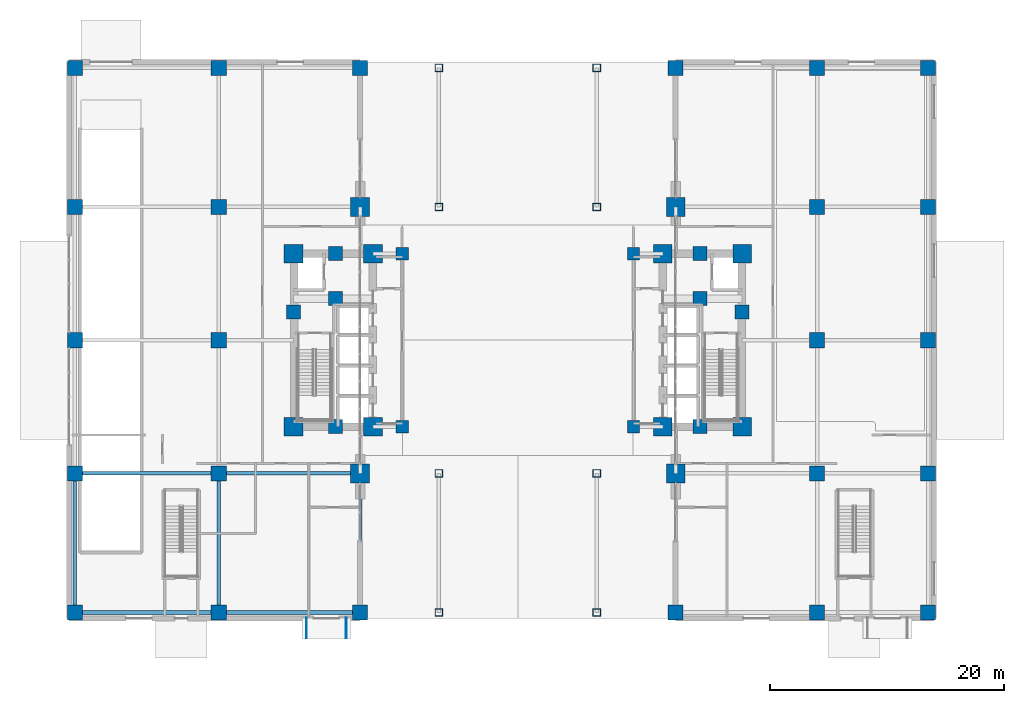
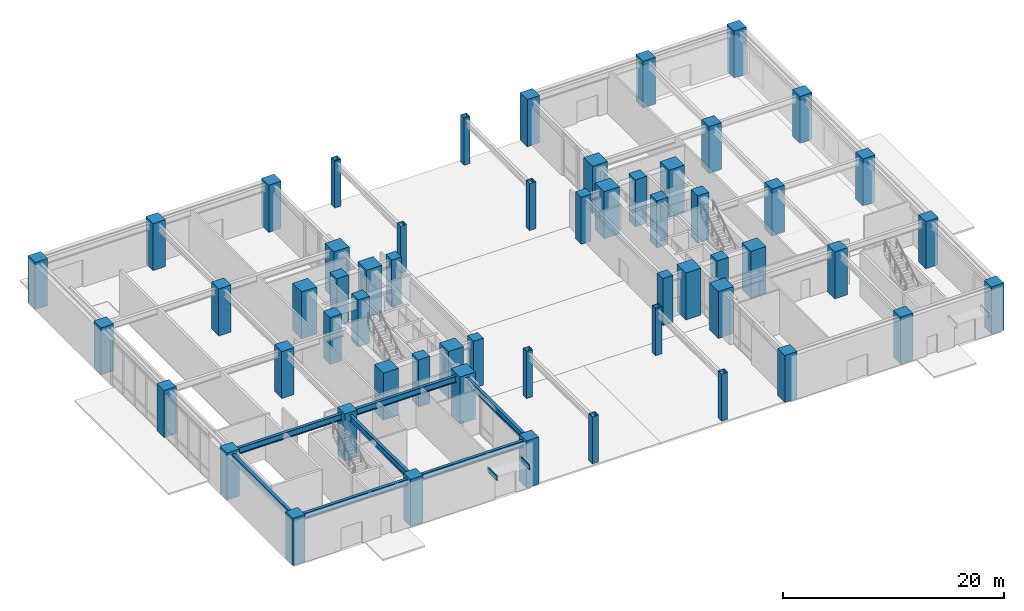
# One storey, part 1 of 23: 56 columns, 7 beams, 2 members, 1 element without a shape of its own.
"""IFC4 building model written with IfcOpenShell, lengths in metres."""

from ifc_helpers import new_model, si_unit, direction, frame, origin, origin_2d, place, context, subcontext, project, spatial, rectangle, hollow_rectangle, i_section, extrude, material, layer, layer_set, material_profile, profile_set, type_object, element, aggregate, save


model = new_model("IFC4")

# Units and contexts
model_context = context("Model", 3, precision=1e-05, world=origin(), true_north=direction((0.0, 1.0)))
body_context = subcontext(model_context, "Body", "Model", "MODEL_VIEW")
ifc_project = project(units=[si_unit("LENGTHUNIT", "METRE"), si_unit("AREAUNIT", "SQUARE_METRE"), si_unit("VOLUMEUNIT", "CUBIC_METRE"), si_unit("PLANEANGLEUNIT", "RADIAN"), si_unit("MASSUNIT", "GRAM", prefix="KILO")], contexts=[model_context])

# Site, building, storey
site_placement = place(None, origin())
site = spatial("IfcSite", under=ifc_project, at=site_placement, CompositionType="ELEMENT")
building_placement = place(site_placement, origin())
building = spatial("IfcBuilding", under=site, at=building_placement, Name="Voryun Gate Residences", CompositionType="ELEMENT")
storey_placement = place(building_placement, origin())
storey = spatial("IfcBuildingStorey", under=building, at=storey_placement, Name="L00", CompositionType="ELEMENT", Elevation=0.0)

# Columns
ifc_material_1 = material(Name="Steel SM420", Category="steel")
ifc_material_profile_1 = material_profile(ifc_material_1, hollow_rectangle(XDim=0.64990234375, YDim=0.64990234375, WallThickness=0.028076171875, at=origin_2d()), Name="BOX-650x650x28")
ifc_profile_set_1 = profile_set([ifc_material_profile_1], Name="Steel SM420")
column_type_1 = type_object("IfcColumnType", Name="COL_ARCH_SPANDREL", PredefinedType="COLUMN", material=ifc_profile_set_1)
for number, where, z_axis, x_axis, name in (
    (1, (-6.75, -23.300048828125, 0.0), (0.0, 0.0, 1.0), (1.0, 0.0, 0.0), "L00 Gate Portal Column (-6.75,-23.3)"),
    (2, (-6.75, -11.39990234375, 0.0), (0.0, 0.0, 1.0), (1.0, 0.0, 0.0), "L00 Gate Portal Column (-6.75,-11.4)"),
    (3, (-6.75, 11.39990234375, 0.0), (0.0, 0.0, 1.0), (1.0, 0.0, 0.0), "L00 Gate Portal Column (-6.75,+11.4)"),
    (4, (-6.75, 23.300048828125, 0.0), (0.0, 0.0, 1.0), (1.0, 0.0, 0.0), "L00 Gate Portal Column (-6.75,+23.3)"),
    (5, (6.75, -23.300048828125, 0.0), (0.0, 0.0, 1.0), (1.0, 0.0, 0.0), "L00 Gate Portal Column (+6.75,-23.3)"),
    (6, (6.75, -11.39990234375, 0.0), (0.0, 0.0, 1.0), (1.0, 0.0, 0.0), "L00 Gate Portal Column (+6.75,-11.4)"),
    (7, (6.75, 11.39990234375, 0.0), (0.0, 0.0, 1.0), (1.0, 0.0, 0.0), "L00 Gate Portal Column (+6.75,+11.4)"),
    (8, (6.75, 23.300048828125, 0.0), (0.0, 0.0, 1.0), (1.0, 0.0, 0.0), "L00 Gate Portal Column (+6.75,+23.3)"),
):
    element("IfcColumn", number, at=place(storey_placement, frame(where, z_axis=z_axis, x_axis=x_axis)), inside=storey, type_object=column_type_1, Name=name, PredefinedType="COLUMN", context=body_context, shape_type="SweptSolid", body=[
        extrude(hollow_rectangle(XDim=0.64990234375, YDim=0.64990234375, WallThickness=0.028076171875, at=origin_2d()), origin(), (0.0, 0.0, 1.0), 5.199951171875),
    ])
ifc_material_2 = material(Name="Concrete C50/60", Category="concrete")
ifc_material_profile_2 = material_profile(ifc_material_2, rectangle(XDim=1.050048828125, YDim=1.050048828125, at=origin_2d()), Name="RC-1050x1050")
ifc_profile_set_2 = profile_set([ifc_material_profile_2], Name="Concrete C50/60")
column_type_2 = type_object("IfcColumnType", Name="COL_CORE_1050", PredefinedType="COLUMN", material=ifc_profile_set_2)
for number, where, z_axis, x_axis, name in (
    (9, (-9.89990234375, -7.39990234375, 0.0), (0.0, 0.0, 1.0), (1.0, 0.0, 0.0), "L00 Core collar column CLR-WS"),
    (10, (-9.89990234375, 7.39990234375, 0.0), (0.0, 0.0, 1.0), (1.0, 0.0, 0.0), "L00 Core collar column CLR-WN"),
    (11, (9.89990234375, -7.39990234375, 0.0), (0.0, 0.0, 1.0), (1.0, 0.0, 0.0), "L00 Core collar column CLR-ES"),
    (12, (9.89990234375, 7.39990234375, 0.0), (0.0, 0.0, 1.0), (1.0, 0.0, 0.0), "L00 Core collar column CLR-EN"),
):
    element("IfcColumn", number, at=place(storey_placement, frame(where, z_axis=z_axis, x_axis=x_axis)), inside=storey, type_object=column_type_2, Name=name, PredefinedType="COLUMN", context=body_context, shape_type="SweptSolid", body=[
        extrude(rectangle(XDim=1.050048828125, YDim=1.050048828125, at=origin_2d()), origin(), (0.0, 0.0, 1.0), 5.199951171875),
    ])
ifc_material_3 = material(Name="Concrete C60/75", Category="concrete")
ifc_material_profile_3 = material_profile(ifc_material_3, rectangle(XDim=1.199951171875, YDim=1.199951171875, at=origin_2d()), Name="RC-1200x1200")
ifc_profile_set_3 = profile_set([ifc_material_profile_3], Name="Concrete C60/75")
column_type_3 = type_object("IfcColumnType", Name="COL_CORE_1200", PredefinedType="COLUMN", material=ifc_profile_set_3)
for number, where, z_axis, x_axis, name in (
    (13, (-19.199951171875, 2.39990234375, 0.0), (0.0, 0.0, 1.0), (1.0, 0.0, 0.0), "L00 Core boundary column WC-MW"),
    (14, (-15.60009765625, -7.39990234375, 0.0), (0.0, 0.0, 1.0), (1.0, 0.0, 0.0), "L00 Core boundary column WC-SM"),
    (15, (-15.60009765625, 7.39990234375, 0.0), (0.0, 0.0, 1.0), (1.0, 0.0, 0.0), "L00 Core boundary column WC-NM"),
    (16, (-15.60009765625, 3.550048828125, 0.0), (0.0, 0.0, 1.0), (1.0, 0.0, 0.0), "L00 Core boundary column WC-MM"),
    (17, (15.60009765625, 3.550048828125, 0.0), (0.0, 0.0, 1.0), (1.0, 0.0, 0.0), "L00 Core boundary column EC-MM"),
    (18, (15.60009765625, -7.39990234375, 0.0), (0.0, 0.0, 1.0), (1.0, 0.0, 0.0), "L00 Core boundary column EC-SM"),
    (19, (15.60009765625, 7.39990234375, 0.0), (0.0, 0.0, 1.0), (1.0, 0.0, 0.0), "L00 Core boundary column EC-NM"),
    (20, (19.199951171875, 2.39990234375, 0.0), (0.0, 0.0, 1.0), (1.0, 0.0, 0.0), "L00 Core boundary column EC-ME"),
):
    element("IfcColumn", number, at=place(storey_placement, frame(where, z_axis=z_axis, x_axis=x_axis)), inside=storey, type_object=column_type_3, Name=name, PredefinedType="COLUMN", context=body_context, shape_type="SweptSolid", body=[
        extrude(rectangle(XDim=1.199951171875, YDim=1.199951171875, at=origin_2d()), origin(), (0.0, 0.0, 1.0), 5.199951171875),
    ])
ifc_material_4 = material(Name="Concrete C60/75", Category="concrete")
ifc_material_profile_4 = material_profile(ifc_material_4, rectangle(XDim=1.300048828125, YDim=1.300048828125, at=origin_2d()), Name="RC-1300x1300")
ifc_profile_set_4 = profile_set([ifc_material_profile_4], Name="Concrete C60/75")
column_type_4 = type_object("IfcColumnType", Name="COL_MEGA_1300", PredefinedType="COLUMN", material=ifc_profile_set_4)
for number, where, z_axis, x_axis, name in (
    (21, (-37.89990234375, -23.300048828125, 0.0), (0.0, 0.0, 1.0), (1.0, 0.0, 0.0), "L00 Podium pier column W11"),
    (22, (-37.89990234375, -11.39990234375, 0.0), (0.0, 0.0, 1.0), (1.0, 0.0, 0.0), "L00 Podium pier column W12"),
    (23, (-37.89990234375, 0.0, 0.0), (0.0, 0.0, 1.0), (1.0, 0.0, 0.0), "L00 Podium pier column W13"),
    (24, (-37.89990234375, 11.39990234375, 0.0), (0.0, 0.0, 1.0), (1.0, 0.0, 0.0), "L00 Podium pier column W14"),
    (25, (-37.89990234375, 23.300048828125, 0.0), (0.0, 0.0, 1.0), (1.0, 0.0, 0.0), "L00 Podium pier column W15"),
    (26, (-25.60009765625, -23.300048828125, 0.0), (0.0, 0.0, 1.0), (1.0, 0.0, 0.0), "L00 Podium pier column W21"),
    (27, (-25.60009765625, -11.39990234375, 0.0), (0.0, 0.0, 1.0), (1.0, 0.0, 0.0), "L00 Podium pier column W22"),
    (28, (-25.60009765625, 0.0, 0.0), (0.0, 0.0, 1.0), (1.0, 0.0, 0.0), "L00 Podium pier column W23"),
    (29, (-25.60009765625, 11.39990234375, 0.0), (0.0, 0.0, 1.0), (1.0, 0.0, 0.0), "L00 Podium pier column W24"),
    (30, (-25.60009765625, 23.300048828125, 0.0), (0.0, 0.0, 1.0), (1.0, 0.0, 0.0), "L00 Podium pier column W25"),
    (31, (-13.5, -23.300048828125, 0.0), (0.0, 0.0, 1.0), (1.0, 0.0, 0.0), "L00 Podium pier column W31"),
    (32, (-13.5, 23.300048828125, 0.0), (0.0, 0.0, 1.0), (1.0, 0.0, 0.0), "L00 Podium pier column W35"),
    (33, (13.5, -23.300048828125, 0.0), (0.0, 0.0, 1.0), (1.0, 0.0, 0.0), "L00 Podium pier column E11"),
    (34, (13.5, 23.300048828125, 0.0), (0.0, 0.0, 1.0), (1.0, 0.0, 0.0), "L00 Podium pier column E15"),
    (35, (25.60009765625, -23.300048828125, 0.0), (0.0, 0.0, 1.0), (1.0, 0.0, 0.0), "L00 Podium pier column E21"),
    (36, (25.60009765625, -11.39990234375, 0.0), (0.0, 0.0, 1.0), (1.0, 0.0, 0.0), "L00 Podium pier column E22"),
    (37, (25.60009765625, 0.0, 0.0), (0.0, 0.0, 1.0), (1.0, 0.0, 0.0), "L00 Podium pier column E23"),
    (38, (25.60009765625, 11.39990234375, 0.0), (0.0, 0.0, 1.0), (1.0, 0.0, 0.0), "L00 Podium pier column E24"),
    (39, (25.60009765625, 23.300048828125, 0.0), (0.0, 0.0, 1.0), (1.0, 0.0, 0.0), "L00 Podium pier column E25"),
    (40, (35.10009765625, -23.300048828125, 0.0), (0.0, 0.0, 1.0), (1.0, 0.0, 0.0), "L00 Podium pier column E31"),
    (41, (35.10009765625, -11.39990234375, 0.0), (0.0, 0.0, 1.0), (1.0, 0.0, 0.0), "L00 Podium pier column E32"),
    (42, (35.10009765625, 0.0, 0.0), (0.0, 0.0, 1.0), (1.0, 0.0, 0.0), "L00 Podium pier column E33"),
    (43, (35.10009765625, 11.39990234375, 0.0), (0.0, 0.0, 1.0), (1.0, 0.0, 0.0), "L00 Podium pier column E34"),
    (44, (35.10009765625, 23.300048828125, 0.0), (0.0, 0.0, 1.0), (1.0, 0.0, 0.0), "L00 Podium pier column E35"),
):
    element("IfcColumn", number, at=place(storey_placement, frame(where, z_axis=z_axis, x_axis=x_axis)), inside=storey, type_object=column_type_4, Name=name, PredefinedType="COLUMN", context=body_context, shape_type="SweptSolid", body=[
        extrude(rectangle(XDim=1.300048828125, YDim=1.300048828125, at=origin_2d()), origin(), (0.0, 0.0, 1.0), 5.199951171875),
    ])
ifc_material_5 = material(Name="Concrete C60/75", Category="concrete")
ifc_material_profile_5 = material_profile(ifc_material_5, rectangle(XDim=1.60009765625, YDim=1.60009765625, at=origin_2d()), Name="RC-1600x1600")
ifc_profile_set_5 = profile_set([ifc_material_profile_5], Name="Concrete C60/75")
column_type_5 = type_object("IfcColumnType", Name="COL_MEGA_1600", PredefinedType="COLUMN", material=ifc_profile_set_5)
for number, where, z_axis, x_axis, name in (
    (45, (-19.199951171875, -7.39990234375, 0.0), (0.0, 0.0, 1.0), (1.0, 0.0, 0.0), "L00 Core boundary column WC-SW"),
    (46, (-19.199951171875, 7.39990234375, 0.0), (0.0, 0.0, 1.0), (1.0, 0.0, 0.0), "L00 Core boundary column WC-NW"),
    (47, (-12.39990234375, -7.39990234375, 0.0), (0.0, 0.0, 1.0), (1.0, 0.0, 0.0), "L00 Core boundary column WC-SE"),
    (48, (-12.39990234375, 7.39990234375, 0.0), (0.0, 0.0, 1.0), (1.0, 0.0, 0.0), "L00 Core boundary column WC-NE"),
    (49, (12.39990234375, -7.39990234375, 0.0), (0.0, 0.0, 1.0), (1.0, 0.0, 0.0), "L00 Core boundary column EC-SW"),
    (50, (12.39990234375, 7.39990234375, 0.0), (0.0, 0.0, 1.0), (1.0, 0.0, 0.0), "L00 Core boundary column EC-NW"),
    (51, (19.199951171875, -7.39990234375, 0.0), (0.0, 0.0, 1.0), (1.0, 0.0, 0.0), "L00 Core boundary column EC-SE"),
    (52, (19.199951171875, 7.39990234375, 0.0), (0.0, 0.0, 1.0), (1.0, 0.0, 0.0), "L00 Core boundary column EC-NE"),
    (53, (-13.5, -11.39990234375, 0.0), (0.0, 0.0, 1.0), (1.0, 0.0, 0.0), "L00 Podium pier column W32"),
    (54, (-13.5, 11.39990234375, 0.0), (0.0, 0.0, 1.0), (1.0, 0.0, 0.0), "L00 Podium pier column W34"),
    (55, (13.5, -11.39990234375, 0.0), (0.0, 0.0, 1.0), (1.0, 0.0, 0.0), "L00 Podium pier column E12"),
    (56, (13.5, 11.39990234375, 0.0), (0.0, 0.0, 1.0), (1.0, 0.0, 0.0), "L00 Podium pier column E14"),
):
    element("IfcColumn", number, at=place(storey_placement, frame(where, z_axis=z_axis, x_axis=x_axis)), inside=storey, type_object=column_type_5, Name=name, PredefinedType="COLUMN", context=body_context, shape_type="SweptSolid", body=[
        extrude(rectangle(XDim=1.60009765625, YDim=1.60009765625, at=origin_2d()), origin(), (0.0, 0.0, 1.0), 5.199951171875),
    ])

# Beams
ifc_material_6 = material(Name="Steel SM355", Category="steel")
ifc_material_profile_6 = material_profile(ifc_material_6, i_section(OverallWidth=0.300048828125, OverallDepth=0.699951171875, WebThickness=0.012939453125, FlangeThickness=0.02392578125, FilletRadius=0.01806640625, at=origin_2d()), Name="H-700x300x13x24")
ifc_profile_set_6 = profile_set([ifc_material_profile_6], Name="Steel SM355")
beam_type = type_object("IfcBeamType", Name="BM_GIRD_700", PredefinedType="USERDEFINED", material=ifc_profile_set_6)
beam_1_placement = place(storey_placement, frame((-37.89990234375, -23.300048828125, 4.570068359375), z_axis=(1.0, 0.0, 0.0), x_axis=(0.0, 1.0, 0.0)))
element("IfcBeam", 57, at=beam_1_placement, inside=storey, type_object=beam_type, Name="BM-L00-PWX--23.3-0", ObjectType="GIRDER", PredefinedType="USERDEFINED", context=body_context, shape_type="SweptSolid", body=[
    extrude(i_section(OverallWidth=0.300048828125, OverallDepth=0.699951171875, WebThickness=0.012939453125, FlangeThickness=0.02392578125, FilletRadius=0.01806640625, at=origin_2d()), origin(), (0.0, 0.0, 1.0), 12.2998046875),
])
beam_2_placement = place(storey_placement, frame((-25.60009765625, -23.300048828125, 4.570068359375), z_axis=(1.0, 0.0, 0.0), x_axis=(0.0, 1.0, 0.0)))
element("IfcBeam", 58, at=beam_2_placement, inside=storey, type_object=beam_type, Name="BM-L00-PWX--23.3-1", ObjectType="GIRDER", PredefinedType="USERDEFINED", context=body_context, shape_type="SweptSolid", body=[
    extrude(i_section(OverallWidth=0.300048828125, OverallDepth=0.699951171875, WebThickness=0.012939453125, FlangeThickness=0.02392578125, FilletRadius=0.01806640625, at=origin_2d()), origin(), (0.0, 0.0, 1.0), 12.10009765625),
])
beam_3_placement = place(storey_placement, frame((-37.89990234375, -11.39990234375, 4.570068359375), z_axis=(1.0, 0.0, 0.0), x_axis=(0.0, 1.0, 0.0)))
element("IfcBeam", 59, at=beam_3_placement, inside=storey, type_object=beam_type, Name="BM-L00-PWX--11.4-0", ObjectType="GIRDER", PredefinedType="USERDEFINED", context=body_context, shape_type="SweptSolid", body=[
    extrude(i_section(OverallWidth=0.300048828125, OverallDepth=0.699951171875, WebThickness=0.012939453125, FlangeThickness=0.02392578125, FilletRadius=0.01806640625, at=origin_2d()), origin(), (0.0, 0.0, 1.0), 12.2998046875),
])
beam_4_placement = place(storey_placement, frame((-25.60009765625, -11.39990234375, 4.570068359375), z_axis=(1.0, 0.0, 0.0), x_axis=(0.0, 1.0, 0.0)))
element("IfcBeam", 60, at=beam_4_placement, inside=storey, type_object=beam_type, Name="BM-L00-PWX--11.4-1", ObjectType="GIRDER", PredefinedType="USERDEFINED", context=body_context, shape_type="SweptSolid", body=[
    extrude(i_section(OverallWidth=0.300048828125, OverallDepth=0.699951171875, WebThickness=0.012939453125, FlangeThickness=0.02392578125, FilletRadius=0.01806640625, at=origin_2d()), origin(), (0.0, 0.0, 1.0), 12.10009765625),
])
for number, where, z_axis, x_axis, name in (
    (61, (-37.89990234375, -23.300048828125, 4.570068359375), (0.0, 1.0, 0.0), (-1.0, 0.0, 0.0), "BM-L00-PWY--37.9-0"),
    (62, (-25.60009765625, -23.300048828125, 4.570068359375), (0.0, 1.0, 0.0), (-1.0, 0.0, 0.0), "BM-L00-PWY--25.6-0"),
    (63, (-13.5, -23.300048828125, 4.570068359375), (0.0, 1.0, 0.0), (-1.0, 0.0, 0.0), "BM-L00-PWYA--23.3"),
):
    element("IfcBeam", number, at=place(storey_placement, frame(where, z_axis=z_axis, x_axis=x_axis)), inside=storey, type_object=beam_type, Name=name, ObjectType="GIRDER", PredefinedType="USERDEFINED", context=body_context, shape_type="SweptSolid", body=[
        extrude(i_section(OverallWidth=0.300048828125, OverallDepth=0.699951171875, WebThickness=0.012939453125, FlangeThickness=0.02392578125, FilletRadius=0.01806640625, at=origin_2d()), origin(), (0.0, 0.0, 1.0), 11.900146484375),
    ])

# Curtain wall, members
ifc_material_7 = material(Name="Anodised aluminium", Category="aluminium")
ifc_layer = layer(ifc_material_7, 0.239990234375, Name="CW_SYS_ARCH_DARK_GLASS")
ifc_layer_set = layer_set([ifc_layer], Name="Anodised aluminium")
curtain_wall_type = type_object("IfcCurtainWallType", Name="CW_SYS_ARCH_DARK_GLASS", PredefinedType="NOTDEFINED", material=ifc_layer_set)
curtain_wall_placement = place(storey_placement, origin())
curtain_wall = element("IfcCurtainWall", 64, at=curtain_wall_placement, inside=storey, type_object=curtain_wall_type, Name="Curtain wall CW2-L00-WP-M", PredefinedType="NOTDEFINED")
ifc_material_8 = material(Name="Anodised aluminium", Category="aluminium")
ifc_material_profile_7 = material_profile(ifc_material_8, rectangle(XDim=0.080078125, YDim=0.550048828125, at=origin_2d()), Name="ALU-EAVE-80x550")
ifc_profile_set_7 = profile_set([ifc_material_profile_7], Name="Anodised aluminium")
member_type = type_object("IfcMemberType", Name="MBR_PAGODA_EAVE_FIN", PredefinedType="USERDEFINED", material=ifc_profile_set_7)
member_1_placement = place(storey_placement, frame((-18.08203125, -23.75, 3.419921875), z_axis=(0.0, -1.0, 0.0), x_axis=(1.0, 0.0, 0.0)))
member_1 = element("IfcMember", 65, at=member_1_placement, type_object=member_type, Name="Canopy outrigger arm CBR-L00-WP-1-1", ObjectType="SUNSHADE", PredefinedType="USERDEFINED", context=body_context, shape_type="SweptSolid", body=[
    extrude(rectangle(XDim=0.080078125, YDim=0.550048828125, at=origin_2d()), origin(), (0.0, 0.0, 1.0), 1.75),
])
member_2_placement = place(storey_placement, frame((-14.681884765625, -23.75, 3.419921875), z_axis=(0.0, -1.0, 0.0), x_axis=(1.0, 0.0, 0.0)))
member_2 = element("IfcMember", 66, at=member_2_placement, type_object=member_type, Name="Canopy outrigger arm CBR-L00-WP-1-2", ObjectType="SUNSHADE", PredefinedType="USERDEFINED", context=body_context, shape_type="SweptSolid", body=[
    extrude(rectangle(XDim=0.080078125, YDim=0.550048828125, at=origin_2d()), origin(), (0.0, 0.0, 1.0), 1.75),
])
aggregate(curtain_wall, [member_1, member_2])

save(model, "model.ifc")
